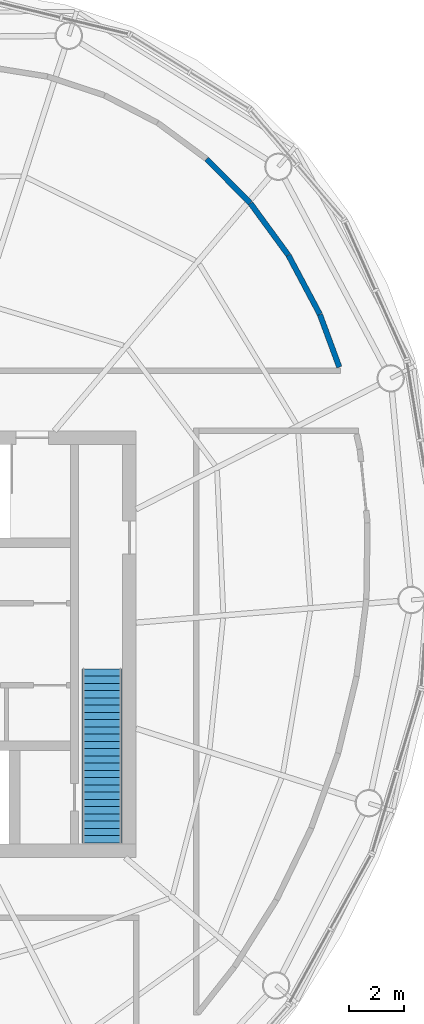
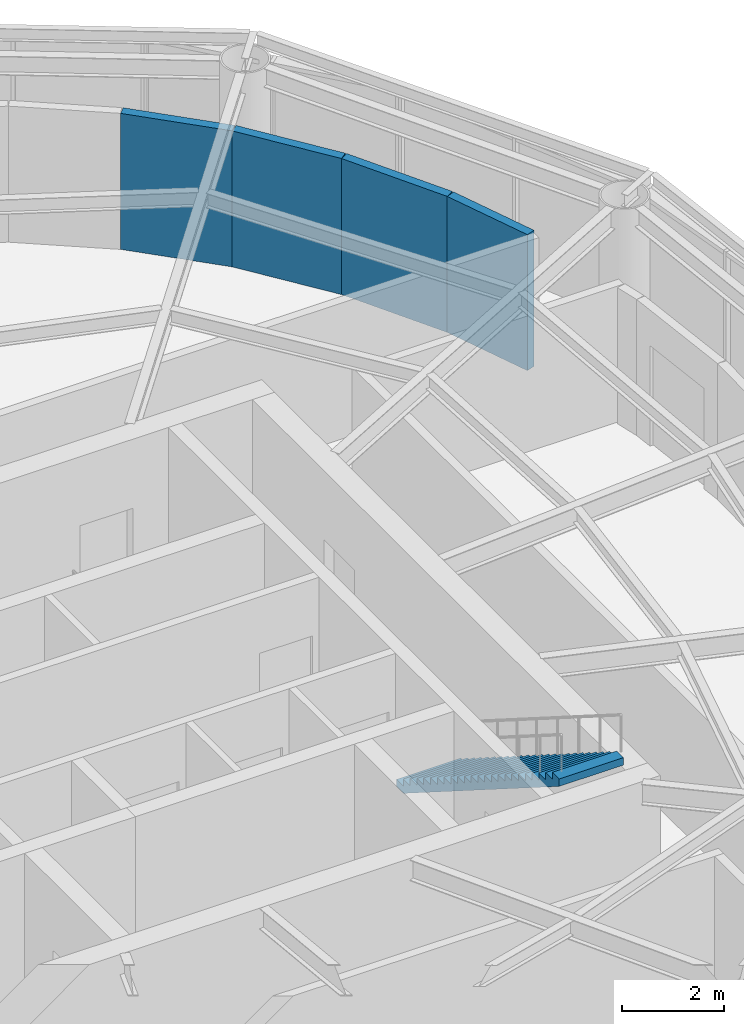
# One storey, part 10 of 11: 4 walls, 1 stair flight, 1 element without a shape of its own.
"""IFC4 building model written with IfcOpenShell, lengths in metres."""

from ifc_helpers import new_model, si_unit, direction, frame, frame_2d, origin, place, context, subcontext, project, spatial, polyline, rectangle, outline, extrude, material, layer, layer_set, type_object, element, aggregate, save


model = new_model("IFC4")

# Units and contexts
model_context = context("Model", 3, precision=1e-05, world=origin(), true_north=direction((0.0, 1.0)))
body_context = subcontext(model_context, "Body", "Model", "MODEL_VIEW")
ifc_project = project(units=[si_unit("LENGTHUNIT", "METRE"), si_unit("AREAUNIT", "SQUARE_METRE"), si_unit("VOLUMEUNIT", "CUBIC_METRE"), si_unit("PLANEANGLEUNIT", "RADIAN"), si_unit("MASSUNIT", "GRAM", prefix="KILO")], contexts=[model_context])

# Site, building, storey
site_placement = place(None, origin())
site = spatial("IfcSite", under=ifc_project, at=site_placement, CompositionType="ELEMENT")
building_placement = place(site_placement, origin())
building = spatial("IfcBuilding", under=site, at=building_placement, Name="Vermilion Reach Broadcast Tower", CompositionType="ELEMENT")
storey_placement = place(building_placement, frame((0.0, 0.0, 325.5)))
storey = spatial("IfcBuildingStorey", under=building, at=storey_placement, Name="L81 CROWN", CompositionType="ELEMENT", Elevation=325.5)

# Walls
ifc_material_1 = material(Name="Gypsum board shaft wall")
ifc_layer = layer(ifc_material_1, 0.199951171875)
ifc_layer_set = layer_set([ifc_layer], Name="Plant room wall 200")
wall_type = type_object("IfcWallType", Name="Plant room wall 200", PredefinedType="PARTITIONING", material=ifc_layer_set)
wall_1_placement = place(storey_placement, frame((7.780029296875, 16.11865234375, 0.0), z_axis=(0.0, 0.0, 1.0), x_axis=(0.590082027637, -0.807343297897, 0.0)))
element("IfcWall", 1, at=wall_1_placement, inside=storey, type_object=wall_type, Name="sp.wall.L81 CROWN.028", PredefinedType="PARTITIONING", context=body_context, shape_type="SweptSolid", body=[
    extrude(rectangle(XDim=2.33837890625, YDim=0.199951171875, at=frame_2d((1.169189453125, 0.0))), origin(), (0.0, 0.0, 1.0), 3.25),
])
wall_2_placement = place(storey_placement, frame((9.168212890625, 14.21923828125, 0.0), z_axis=(0.0, 0.0, 1.0), x_axis=(0.469606334902, -0.882875920059, 0.0)))
element("IfcWall", 2, at=wall_2_placement, inside=storey, type_object=wall_type, Name="sp.wall.L81 CROWN.029", PredefinedType="PARTITIONING", context=body_context, shape_type="SweptSolid", body=[
    extrude(rectangle(XDim=2.439697265625, YDim=0.199951171875, at=frame_2d((1.2197265625, 0.0))), origin(), (0.0, 0.0, 1.0), 3.25),
])
wall_3_placement = place(storey_placement, frame((10.318603515625, 12.052490234375, 0.0), z_axis=(0.0, 0.0, 1.0), x_axis=(0.346197844841, -0.938161527791, 0.0)))
element("IfcWall", 3, at=wall_3_placement, inside=storey, type_object=wall_type, Name="sp.wall.L81 CROWN.030", PredefinedType="PARTITIONING", context=body_context, shape_type="SweptSolid", body=[
    extrude(rectangle(XDim=2.04443359375, YDim=0.199951171875, at=frame_2d((1.022216796875, 0.0))), origin(), (0.0, 0.0, 1.0), 3.25),
])
wall_4_placement = place(storey_placement, frame((6.17724609375, 17.738525390625, 0.0), z_axis=(0.0, 0.0, 1.0), x_axis=(0.703376280453, -0.710817703843, 0.0)))
element("IfcWall", 4, at=wall_4_placement, inside=storey, type_object=wall_type, Name="sp.wall.L81 CROWN.039", PredefinedType="PARTITIONING", context=body_context, shape_type="SweptSolid", body=[
    extrude(rectangle(XDim=2.263671875, YDim=0.199951171875, at=frame_2d((1.1318359375, 0.0))), origin(), (0.0, 0.0, 1.0), 3.25),
])

# Stair, stair flight
ifc_material_2 = material(Name="Concrete C40", Category="concrete")
stair_type = type_object("IfcStairType", Name="Roof access stair RC", PredefinedType="STRAIGHT_RUN_STAIR", material=ifc_material_2)
stair_placement = place(storey_placement, origin())
stair = element("IfcStair", 5, at=stair_placement, inside=storey, type_object=stair_type, Name="L81 CROWN roof access stair RS1", PredefinedType="STRAIGHT_RUN_STAIR")
ifc_material_3 = material(Name="Concrete C40", Category="concrete")
stair_flight_type = type_object("IfcStairFlightType", Name="Roof access stair flight", PredefinedType="STRAIGHT", material=ifc_material_3)
stair_flight_placement = place(storey_placement, frame((2.35009765625, -0.89990234375, 0.0), z_axis=(0.0, 0.0, 1.0), x_axis=(0.0, -1.0, 0.0)))
stair_flight = element("IfcStairFlight", 6, at=stair_flight_placement, type_object=stair_flight_type, Name="RS1 flight 1", NumberOfRisers=25, NumberOfTreads=24, PredefinedType="STRAIGHT", RiserHeight=0.168, TreadLength=0.265, context=body_context, shape_type="SweptSolid", body=[
    extrude(outline(polyline([(0.0, 0.0), (0.0, 0.16796875), (0.264892578125, 0.16796875), (0.264892578125, 0.3359375), (0.530029296875, 0.3359375), (0.530029296875, 0.50390625), (0.794921875, 0.50390625), (0.794921875, 0.672119140625), (1.06005859375, 0.672119140625), (1.06005859375, 0.840087890625), (1.324951171875, 0.840087890625), (1.324951171875, 1.008056640625), (1.590087890625, 1.008056640625), (1.590087890625, 1.176025390625), (1.85498046875, 1.176025390625), (1.85498046875, 1.343994140625), (2.1201171875, 1.343994140625), (2.1201171875, 1.511962890625), (2.385009765625, 1.511962890625), (2.385009765625, 1.679931640625), (2.64990234375, 1.679931640625), (2.64990234375, 1.847900390625), (2.9150390625, 1.847900390625), (2.9150390625, 2.01611328125), (3.179931640625, 2.01611328125), (3.179931640625, 2.18408203125), (3.445068359375, 2.18408203125), (3.445068359375, 2.35205078125), (3.7099609375, 2.35205078125), (3.7099609375, 2.52001953125), (3.97509765625, 2.52001953125), (3.97509765625, 2.68798828125), (4.239990234375, 2.68798828125), (4.239990234375, 2.85595703125), (4.5048828125, 2.85595703125), (4.5048828125, 3.02392578125), (4.77001953125, 3.02392578125), (4.77001953125, 3.19189453125), (5.034912109375, 3.19189453125), (5.034912109375, 3.360107421875), (5.300048828125, 3.360107421875), (5.300048828125, 3.528076171875), (5.56494140625, 3.528076171875), (5.56494140625, 3.696044921875), (5.830078125, 3.696044921875), (5.830078125, 3.864013671875), (6.094970703125, 3.864013671875), (6.094970703125, 4.031982421875), (6.360107421875, 4.031982421875), (6.360107421875, 4.199951171875), (6.360107421875, 3.8544921875), (0.280029296875, 0.0), (0.0, 0.0)])), frame((0.0, 0.72509765625, 0.0), z_axis=(0.0, -1.0, 0.0), x_axis=(1.0, 0.0, 0.0)), (0.0, 0.0, 1.0), 1.449951171875),
])
aggregate(stair, [stair_flight])

save(model, "model.ifc")
